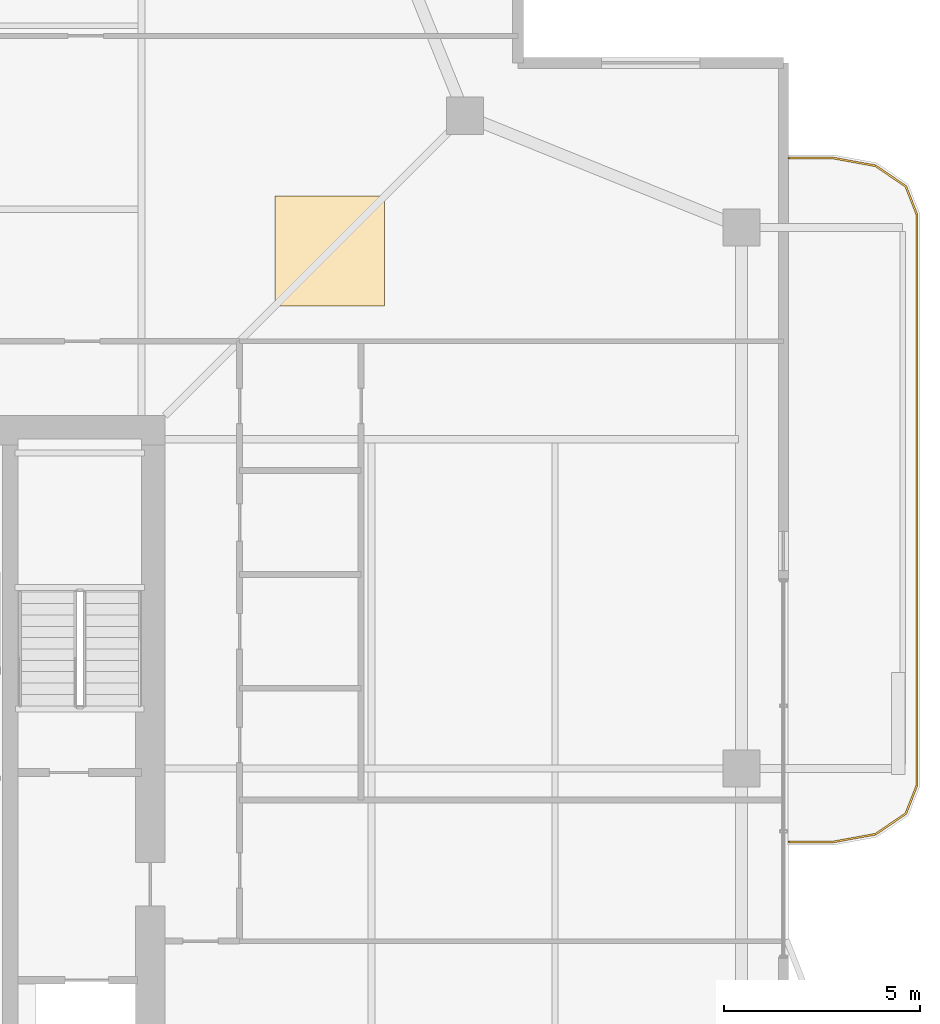
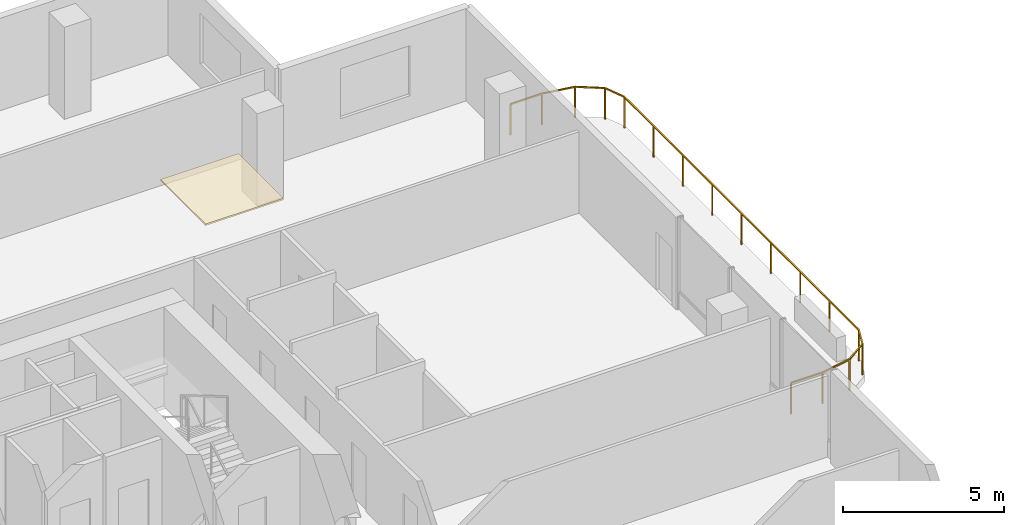
# One storey, part 25 of 25: 1 covering, 1 railing.
"""IFC4 building model written with IfcOpenShell, lengths in metres."""

from ifc_helpers import new_model, si_unit, direction, frame, origin, origin_2d, place, context, subcontext, project, spatial, polyline, rectangle, outline, extrude, material, layer, layer_set, type_object, element, save


model = new_model("IFC4")

# Units and contexts
model_context = context("Model", 3, precision=1e-05, world=origin(), true_north=direction((0.0, 1.0)))
body_context = subcontext(model_context, "Body", "Model", "MODEL_VIEW")
ifc_project = project(units=[si_unit("LENGTHUNIT", "METRE"), si_unit("AREAUNIT", "SQUARE_METRE"), si_unit("VOLUMEUNIT", "CUBIC_METRE"), si_unit("PLANEANGLEUNIT", "RADIAN"), si_unit("MASSUNIT", "GRAM", prefix="KILO")], contexts=[model_context])

# Site, building, storey
site_placement = place(None, origin())
site = spatial("IfcSite", under=ifc_project, at=site_placement, CompositionType="ELEMENT")
building_placement = place(site_placement, origin())
building = spatial("IfcBuilding", under=site, at=building_placement, Name="Belovzor Exchange Tower", CompositionType="ELEMENT")
storey_placement = place(building_placement, frame((0.0, 0.0, 269.10009765625)))
storey = spatial("IfcBuildingStorey", under=building, at=storey_placement, Name="L67", CompositionType="ELEMENT", Elevation=269.10009765625)

# Railing
ifc_material_1 = material(Name="Stainless Steel and Laminated Safety Glass", Category="steel")
railing_type = type_object("IfcRailingType", Name="Laminated Glass & Stainless Steel Balcony Balustrade 1200", PredefinedType="BALUSTRADE", material=ifc_material_1)
railing_placement = place(storey_placement, frame((53.7099609375, 26.929931640625, 0.0)))
element("IfcRailing", 1, at=railing_placement, inside=storey, type_object=railing_type, Name="GR-1 Balcony Balustrade L67 East", PredefinedType="BALUSTRADE", context=body_context, shape_type="SweptSolid", body=[
    extrude(rectangle(XDim=0.048095703125, YDim=0.048095703125, at=origin_2d()), frame((0.0, 0.0, 1.17578125), z_axis=(1.0, 0.0, 0.0), x_axis=(0.0, 1.0, 0.0)), (0.0, 0.0, 1.0), 1.133056640625),
    extrude(rectangle(XDim=0.048095703125, YDim=0.048095703125, at=origin_2d()), frame((1.133056640625, 0.0, 1.17578125), z_axis=(0.983644145941, 0.180122719713, 0.0), x_axis=(-0.180122719713, 0.983644145941, 0.0)), (0.0, 0.0, 1.0), 1.09375),
    extrude(rectangle(XDim=0.048095703125, YDim=0.048095703125, at=origin_2d()), frame((2.208984375, 0.197021484375, 1.17578125), z_axis=(0.826493025367, 0.56294695933, 0.0), x_axis=(-0.56294695933, 0.826493025367, 0.0)), (0.0, 0.0, 1.0), 0.932861328125),
    extrude(rectangle(XDim=0.048095703125, YDim=0.048095703125, at=origin_2d()), frame((2.97998046875, 0.72216796875, 1.17578125), z_axis=(0.365612923861, 0.930766990125, 0.0), x_axis=(-0.930766990125, 0.365612923861, 0.0)), (0.0, 0.0, 1.0), 0.765869140625),
    extrude(rectangle(XDim=0.048095703125, YDim=0.048095703125, at=origin_2d()), frame((3.260009765625, 1.43505859375, 1.17578125), z_axis=(0.0, 1.0, 0.0), x_axis=(-1.0, 0.0, 0.0)), (0.0, 0.0, 1.0), 14.570068359375),
    extrude(rectangle(XDim=0.048095703125, YDim=0.048095703125, at=origin_2d()), frame((3.260009765625, 16.005126953125, 1.17578125), z_axis=(-0.365612923861, 0.930766990125, 0.0), x_axis=(-0.930766990125, -0.365612923861, 0.0)), (0.0, 0.0, 1.0), 0.765869140625),
    extrude(rectangle(XDim=0.048095703125, YDim=0.048095703125, at=origin_2d()), frame((2.97998046875, 16.718017578125, 1.17578125), z_axis=(-0.826493025367, 0.56294695933, 0.0), x_axis=(-0.56294695933, -0.826493025367, 0.0)), (0.0, 0.0, 1.0), 0.932861328125),
    extrude(rectangle(XDim=0.048095703125, YDim=0.048095703125, at=origin_2d()), frame((2.208984375, 17.2431640625, 1.17578125), z_axis=(-0.983644145941, 0.180122719713, 0.0), x_axis=(-0.180122719713, -0.983644145941, 0.0)), (0.0, 0.0, 1.0), 1.09375),
    extrude(rectangle(XDim=0.048095703125, YDim=0.048095703125, at=origin_2d()), frame((1.133056640625, 17.440185546875, 1.17578125), z_axis=(-1.0, 0.0, 0.0), x_axis=(0.0, -1.0, 0.0)), (0.0, 0.0, 1.0), 1.133056640625),
    extrude(rectangle(XDim=0.0419921875, YDim=0.0419921875, at=origin_2d()), origin(), (0.0, 0.0, 1.0), 1.15185546875),
    extrude(rectangle(XDim=0.0419921875, YDim=0.0419921875, at=origin_2d()), frame((1.133056640625, 0.0, 0.0)), (0.0, 0.0, 1.0), 1.15185546875),
    extrude(rectangle(XDim=0.0419921875, YDim=0.0419921875, at=origin_2d()), frame((2.208984375, 0.197021484375, 0.0)), (0.0, 0.0, 1.0), 1.15185546875),
    extrude(rectangle(XDim=0.0419921875, YDim=0.0419921875, at=origin_2d()), frame((2.97998046875, 0.72216796875, 0.0)), (0.0, 0.0, 1.0), 1.15185546875),
    extrude(rectangle(XDim=0.0419921875, YDim=0.0419921875, at=origin_2d()), frame((3.260009765625, 1.43505859375, 0.0)), (0.0, 0.0, 1.0), 1.15185546875),
    extrude(rectangle(XDim=0.0419921875, YDim=0.0419921875, at=origin_2d()), frame((3.260009765625, 3.25634765625, 0.0)), (0.0, 0.0, 1.0), 1.15185546875),
    extrude(rectangle(XDim=0.0419921875, YDim=0.0419921875, at=origin_2d()), frame((3.260009765625, 5.07763671875, 0.0)), (0.0, 0.0, 1.0), 1.15185546875),
    extrude(rectangle(XDim=0.0419921875, YDim=0.0419921875, at=origin_2d()), frame((3.260009765625, 6.89892578125, 0.0)), (0.0, 0.0, 1.0), 1.15185546875),
    extrude(rectangle(XDim=0.0419921875, YDim=0.0419921875, at=origin_2d()), frame((3.260009765625, 8.72021484375, 0.0)), (0.0, 0.0, 1.0), 1.15185546875),
    extrude(rectangle(XDim=0.0419921875, YDim=0.0419921875, at=origin_2d()), frame((3.260009765625, 10.541259765625, 0.0)), (0.0, 0.0, 1.0), 1.15185546875),
    extrude(rectangle(XDim=0.0419921875, YDim=0.0419921875, at=origin_2d()), frame((3.260009765625, 12.362548828125, 0.0)), (0.0, 0.0, 1.0), 1.15185546875),
    extrude(rectangle(XDim=0.0419921875, YDim=0.0419921875, at=origin_2d()), frame((3.260009765625, 14.183837890625, 0.0)), (0.0, 0.0, 1.0), 1.15185546875),
    extrude(rectangle(XDim=0.0419921875, YDim=0.0419921875, at=origin_2d()), frame((3.260009765625, 16.005126953125, 0.0)), (0.0, 0.0, 1.0), 1.15185546875),
    extrude(rectangle(XDim=0.0419921875, YDim=0.0419921875, at=origin_2d()), frame((2.97998046875, 16.718017578125, 0.0)), (0.0, 0.0, 1.0), 1.15185546875),
    extrude(rectangle(XDim=0.0419921875, YDim=0.0419921875, at=origin_2d()), frame((2.208984375, 17.2431640625, 0.0)), (0.0, 0.0, 1.0), 1.15185546875),
    extrude(rectangle(XDim=0.0419921875, YDim=0.0419921875, at=origin_2d()), frame((1.133056640625, 17.440185546875, 0.0)), (0.0, 0.0, 1.0), 1.15185546875),
    extrude(rectangle(XDim=0.0419921875, YDim=0.0419921875, at=origin_2d()), frame((0.0, 17.440185546875, 0.0)), (0.0, 0.0, 1.0), 1.15185546875),
])

# Covering
ifc_material_2 = material(Name="Perforated Powder-Coated Aluminium", Category="aluminium")
ifc_layer = layer(ifc_material_2, 0.06005859375)
ifc_layer_set = layer_set([ifc_layer], Name="Perforated Powder-Coated Aluminium")
covering_type = type_object("IfcCoveringType", Name="Perforated Acoustic Metal Tile Suspended Ceiling 60", PredefinedType="CEILING", material=ifc_layer_set)
covering_placement = place(storey_placement, frame((0.0, 0.0, 3.43994140625)))
element("IfcCovering", 2, at=covering_placement, inside=storey, type_object=covering_type, Name="CLG-AC60 Suspended Ceiling CLG-L67-Z2", PredefinedType="CEILING", context=body_context, shape_type="SweptSolid", body=[
    extrude(outline(polyline([(40.60009765625, 40.60009765625), (43.39990234375, 40.60009765625), (43.39990234375, 43.39990234375), (40.60009765625, 43.39990234375), (40.60009765625, 40.60009765625)])), origin(), (0.0, 0.0, 1.0), 0.06005859375),
])

save(model, "model.ifc")
